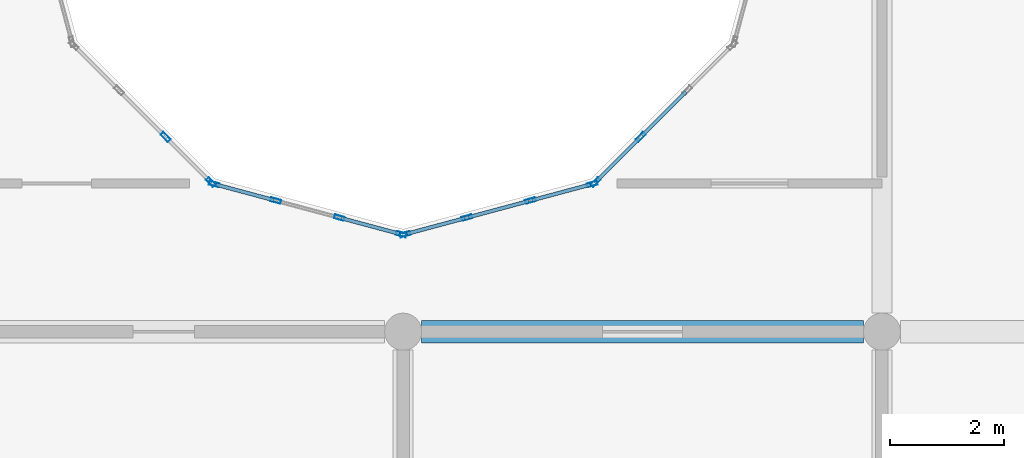
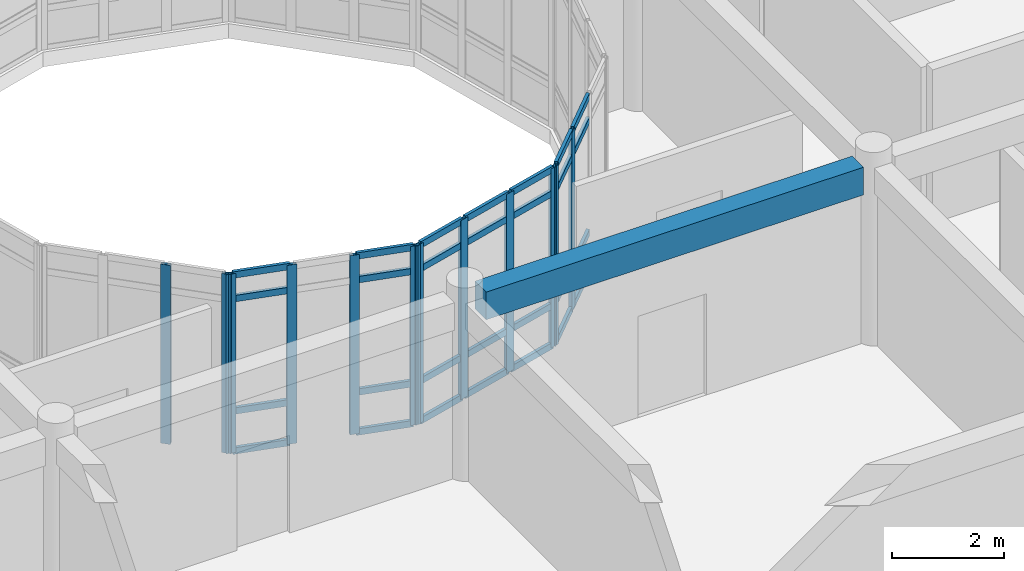
# One storey, part 18 of 119: 40 members, 1 beam, 4 elements without a shape of their own.
"""IFC4 building model written with IfcOpenShell, lengths in metres."""

from ifc_helpers import new_model, si_unit, direction, frame, origin, origin_2d, place, context, subcontext, project, spatial, rectangle, hollow_rectangle, extrude, material, layer, layer_set, material_profile, profile_set, type_object, element, aggregate, save


model = new_model("IFC4")

# Units and contexts
model_context = context("Model", 3, precision=1e-05, world=origin(), true_north=direction((0.0, 1.0)))
body_context = subcontext(model_context, "Body", "Model", "MODEL_VIEW")
ifc_project = project(units=[si_unit("LENGTHUNIT", "METRE"), si_unit("AREAUNIT", "SQUARE_METRE"), si_unit("VOLUMEUNIT", "CUBIC_METRE"), si_unit("PLANEANGLEUNIT", "RADIAN"), si_unit("MASSUNIT", "GRAM", prefix="KILO")], contexts=[model_context])

# Site, building, storey
site_placement = place(None, origin())
site = spatial("IfcSite", under=ifc_project, at=site_placement, CompositionType="ELEMENT")
building_placement = place(site_placement, origin())
building = spatial("IfcBuilding", under=site, at=building_placement, Name="Bramfleet General Hospital", CompositionType="ELEMENT")
storey_placement = place(building_placement, frame((0.0, 0.0, 14.39990234375)))
storey = spatial("IfcBuildingStorey", under=building, at=storey_placement, Name="L03", CompositionType="ELEMENT", Elevation=14.39990234375)

# Beam
ifc_material_1 = material(Name="Concrete C35/45", Category="concrete")
ifc_material_profile_1 = material_profile(ifc_material_1, rectangle(XDim=0.39990234375, YDim=0.60009765625, at=origin_2d()), Name="RC BM 600x400")
ifc_profile_set_1 = profile_set([ifc_material_profile_1], Name="Concrete C35/45")
beam_type = type_object("IfcBeamType", Name="BM-RC600", PredefinedType="BEAM", material=ifc_profile_set_1)
beam_placement = place(storey_placement, frame((25.52490234375, 75.60009765625, 3.590087890625), z_axis=(1.0, 0.0, 0.0), x_axis=(0.0, 1.0, 0.0)))
element("IfcBeam", 1, at=beam_placement, inside=storey, type_object=beam_type, Name="L03 Grid Beam X 03-09", PredefinedType="BEAM", context=body_context, shape_type="SweptSolid", body=[
    extrude(rectangle(XDim=0.39990234375, YDim=0.60009765625, at=origin_2d()), origin(), (0.0, 0.0, 1.0), 7.75),
])

# Curtain wall, members
ifc_material_2 = material(Name="Anodised aluminium and low-E triple glazing", Category="aluminium")
ifc_layer_1 = layer(ifc_material_2, 0.179931640625, Name="CWT-CW-18")
ifc_layer_set_1 = layer_set([ifc_layer_1], Name="Anodised aluminium and low-E triple glazing")
curtain_wall_type_1 = type_object("IfcCurtainWallType", Name="CWT-CW-18", PredefinedType="USERDEFINED", material=ifc_layer_set_1)
curtain_wall_1_placement = place(storey_placement, origin())
curtain_wall_1 = element("IfcCurtainWall", 2, at=curtain_wall_1_placement, inside=storey, type_object=curtain_wall_type_1, Name="L03 West Clinical Light Court Curtain Wall 2.1", ObjectType="Stick curtain wall", PredefinedType="USERDEFINED")
ifc_material_3 = material(Name="Anodised aluminium EN AW-6060", Category="aluminium")
ifc_material_profile_2 = material_profile(ifc_material_3, hollow_rectangle(XDim=0.070068359375, YDim=0.179931640625, WallThickness=0.00390625, at=origin_2d()), Name="ALU 180x70x4.0")
ifc_profile_set_2 = profile_set([ifc_material_profile_2], Name="Anodised aluminium EN AW-6060")
member_type_1 = type_object("IfcMemberType", Name="CWM-ALU180", PredefinedType="MULLION", material=ifc_profile_set_2)
member_1_placement = place(storey_placement, frame((21.03271484375, 79.015380859375, 0.0), z_axis=(0.0, 0.0, 1.0), x_axis=(0.707106781187, 0.707106781187, 0.0)))
member_1 = element("IfcMember", 3, at=member_1_placement, type_object=member_type_1, Name="CW-18 mullion 3", PredefinedType="MULLION", context=body_context, shape_type="SweptSolid", body=[
    extrude(hollow_rectangle(XDim=0.070068359375, YDim=0.179931640625, WallThickness=0.00390625, at=origin_2d()), origin(), (0.0, 0.0, 1.0), 3.89013671875),
])
member_2_placement = place(storey_placement, frame((21.8251953125, 78.22265625, 0.0), z_axis=(0.0, 0.0, 1.0), x_axis=(0.707106781187, 0.707106781187, 0.0)))
member_2 = element("IfcMember", 4, at=member_2_placement, type_object=member_type_1, Name="CW-18 mullion 4", PredefinedType="MULLION", context=body_context, shape_type="SweptSolid", body=[
    extrude(hollow_rectangle(XDim=0.070068359375, YDim=0.179931640625, WallThickness=0.00390625, at=origin_2d()), origin(), (0.0, 0.0, 1.0), 3.89013671875),
])
aggregate(curtain_wall_1, [member_1, member_2])

ifc_layer_2 = layer(ifc_material_2, 0.179931640625, Name="CWT-CW-11")
ifc_layer_set_2 = layer_set([ifc_layer_2], Name="Anodised aluminium and low-E triple glazing")
curtain_wall_type_2 = type_object("IfcCurtainWallType", Name="CWT-CW-11", PredefinedType="USERDEFINED", material=ifc_layer_set_2)
curtain_wall_2_placement = place(storey_placement, origin())
curtain_wall_2 = element("IfcCurtainWall", 5, at=curtain_wall_2_placement, inside=storey, type_object=curtain_wall_type_2, Name="L03 West Clinical Light Court Curtain Wall 3.1", ObjectType="Stick curtain wall", PredefinedType="USERDEFINED")
member_3_placement = place(storey_placement, frame((21.8837890625, 78.18896484375, 0.0), z_axis=(0.0, 0.0, 1.0), x_axis=(0.25891863407, 0.965899136003, 0.0)))
member_3 = element("IfcMember", 6, at=member_3_placement, type_object=member_type_1, Name="CW-11 mullion 1", PredefinedType="MULLION", context=body_context, shape_type="SweptSolid", body=[
    extrude(hollow_rectangle(XDim=0.070068359375, YDim=0.179931640625, WallThickness=0.00390625, at=origin_2d()), origin(), (0.0, 0.0, 1.0), 3.89013671875),
])
member_4_placement = place(storey_placement, frame((22.966552734375, 77.898681640625, 0.0), z_axis=(0.0, 0.0, 1.0), x_axis=(0.25891863407, 0.965899136003, 0.0)))
member_4 = element("IfcMember", 7, at=member_4_placement, type_object=member_type_1, Name="CW-11 mullion 2", PredefinedType="MULLION", context=body_context, shape_type="SweptSolid", body=[
    extrude(hollow_rectangle(XDim=0.070068359375, YDim=0.179931640625, WallThickness=0.00390625, at=origin_2d()), origin(), (0.0, 0.0, 1.0), 3.89013671875),
])
member_5_placement = place(storey_placement, frame((24.083251953125, 77.599365234375, 0.0), z_axis=(0.0, 0.0, 1.0), x_axis=(0.25891863407, 0.965899136003, 0.0)))
member_5 = element("IfcMember", 8, at=member_5_placement, type_object=member_type_1, Name="CW-11 mullion 3", PredefinedType="MULLION", context=body_context, shape_type="SweptSolid", body=[
    extrude(hollow_rectangle(XDim=0.070068359375, YDim=0.179931640625, WallThickness=0.00390625, at=origin_2d()), origin(), (0.0, 0.0, 1.0), 3.89013671875),
])
member_6_placement = place(storey_placement, frame((25.166259765625, 77.30908203125, 0.0), z_axis=(0.0, 0.0, 1.0), x_axis=(0.25891863407, 0.965899136003, 0.0)))
member_6 = element("IfcMember", 9, at=member_6_placement, type_object=member_type_1, Name="CW-11 mullion 4", PredefinedType="MULLION", context=body_context, shape_type="SweptSolid", body=[
    extrude(hollow_rectangle(XDim=0.070068359375, YDim=0.179931640625, WallThickness=0.00390625, at=origin_2d()), origin(), (0.0, 0.0, 1.0), 3.89013671875),
])

ifc_layer_3 = layer(ifc_material_2, 0.179931640625, Name="CWT-CW-12")
ifc_layer_set_3 = layer_set([ifc_layer_3], Name="Anodised aluminium and low-E triple glazing")
curtain_wall_type_3 = type_object("IfcCurtainWallType", Name="CWT-CW-12", PredefinedType="USERDEFINED", material=ifc_layer_set_3)
curtain_wall_3_placement = place(storey_placement, origin())
curtain_wall_3 = element("IfcCurtainWall", 10, at=curtain_wall_3_placement, inside=storey, type_object=curtain_wall_type_3, Name="L03 West Clinical Light Court Curtain Wall 4.1", ObjectType="Stick curtain wall", PredefinedType="USERDEFINED")
member_7_placement = place(storey_placement, frame((25.23388671875, 77.30908203125, 0.0), z_axis=(0.0, 0.0, 1.0), x_axis=(-0.25891863407, 0.965899136003, 0.0)))
member_7 = element("IfcMember", 11, at=member_7_placement, type_object=member_type_1, Name="CW-12 mullion 1", PredefinedType="MULLION", context=body_context, shape_type="SweptSolid", body=[
    extrude(hollow_rectangle(XDim=0.070068359375, YDim=0.179931640625, WallThickness=0.00390625, at=origin_2d()), origin(), (0.0, 0.0, 1.0), 3.89013671875),
])
member_8_placement = place(storey_placement, frame((26.316650390625, 77.599365234375, 0.0), z_axis=(0.0, 0.0, 1.0), x_axis=(-0.25891863407, 0.965899136003, 0.0)))
member_8 = element("IfcMember", 12, at=member_8_placement, type_object=member_type_1, Name="CW-12 mullion 2", PredefinedType="MULLION", context=body_context, shape_type="SweptSolid", body=[
    extrude(hollow_rectangle(XDim=0.070068359375, YDim=0.179931640625, WallThickness=0.00390625, at=origin_2d()), origin(), (0.0, 0.0, 1.0), 3.89013671875),
])
member_9_placement = place(storey_placement, frame((27.433349609375, 77.898681640625, 0.0), z_axis=(0.0, 0.0, 1.0), x_axis=(-0.25891863407, 0.965899136003, 0.0)))
member_9 = element("IfcMember", 13, at=member_9_placement, type_object=member_type_1, Name="CW-12 mullion 3", PredefinedType="MULLION", context=body_context, shape_type="SweptSolid", body=[
    extrude(hollow_rectangle(XDim=0.070068359375, YDim=0.179931640625, WallThickness=0.00390625, at=origin_2d()), origin(), (0.0, 0.0, 1.0), 3.89013671875),
])
member_10_placement = place(storey_placement, frame((28.51611328125, 78.18896484375, 0.0), z_axis=(0.0, 0.0, 1.0), x_axis=(-0.25891863407, 0.965899136003, 0.0)))
member_10 = element("IfcMember", 14, at=member_10_placement, type_object=member_type_1, Name="CW-12 mullion 4", PredefinedType="MULLION", context=body_context, shape_type="SweptSolid", body=[
    extrude(hollow_rectangle(XDim=0.070068359375, YDim=0.179931640625, WallThickness=0.00390625, at=origin_2d()), origin(), (0.0, 0.0, 1.0), 3.89013671875),
])

ifc_layer_4 = layer(ifc_material_2, 0.179931640625, Name="CWT-CW-13")
ifc_layer_set_4 = layer_set([ifc_layer_4], Name="Anodised aluminium and low-E triple glazing")
curtain_wall_type_4 = type_object("IfcCurtainWallType", Name="CWT-CW-13", PredefinedType="USERDEFINED", material=ifc_layer_set_4)
curtain_wall_4_placement = place(storey_placement, origin())
curtain_wall_4 = element("IfcCurtainWall", 15, at=curtain_wall_4_placement, inside=storey, type_object=curtain_wall_type_4, Name="L03 West Clinical Light Court Curtain Wall 5.1", ObjectType="Stick curtain wall", PredefinedType="USERDEFINED")
member_11_placement = place(storey_placement, frame((28.57470703125, 78.22265625, 0.0), z_axis=(0.0, 0.0, 1.0), x_axis=(-0.707106781187, 0.707106781187, 0.0)))
member_11 = element("IfcMember", 16, at=member_11_placement, type_object=member_type_1, Name="CW-13 mullion 1", PredefinedType="MULLION", context=body_context, shape_type="SweptSolid", body=[
    extrude(hollow_rectangle(XDim=0.070068359375, YDim=0.179931640625, WallThickness=0.00390625, at=origin_2d()), origin(), (0.0, 0.0, 1.0), 3.89013671875),
])
member_12_placement = place(storey_placement, frame((29.367431640625, 79.015380859375, 0.0), z_axis=(0.0, 0.0, 1.0), x_axis=(-0.707106781187, 0.707106781187, 0.0)))
member_12 = element("IfcMember", 17, at=member_12_placement, type_object=member_type_1, Name="CW-13 mullion 2", PredefinedType="MULLION", context=body_context, shape_type="SweptSolid", body=[
    extrude(hollow_rectangle(XDim=0.070068359375, YDim=0.179931640625, WallThickness=0.00390625, at=origin_2d()), origin(), (0.0, 0.0, 1.0), 3.89013671875),
])

# Member
ifc_material_profile_3 = material_profile(ifc_material_3, hollow_rectangle(XDim=0.06494140625, YDim=0.139892578125, WallThickness=0.00390625, at=origin_2d()), Name="ALU 140x65x4.0")
ifc_profile_set_3 = profile_set([ifc_material_profile_3], Name="Anodised aluminium EN AW-6060")
member_type_2 = type_object("IfcMemberType", Name="CWT-ALU140", PredefinedType="USERDEFINED", material=ifc_profile_set_3)
member_13_placement = place(storey_placement, frame((21.917724609375, 78.179931640625, 0.03271484375), z_axis=(0.965875443458, -0.259007003236, 0.0), x_axis=(0.259007003236, 0.965875443458, 0.0)))
member_13 = element("IfcMember", 18, at=member_13_placement, type_object=member_type_2, Name="CW-11 transom 1.1", ObjectType="TRANSOM", PredefinedType="USERDEFINED", context=body_context, shape_type="SweptSolid", body=[
    extrude(hollow_rectangle(XDim=0.06494140625, YDim=0.139892578125, WallThickness=0.00390625, at=origin_2d()), origin(), (0.0, 0.0, 1.0), 1.051025390625),
])

member_14_placement = place(storey_placement, frame((21.917724609375, 78.179931640625, 0.900146484375), z_axis=(0.965875443458, -0.259007003236, 0.0), x_axis=(0.259007003236, 0.965875443458, 0.0)))
member_14 = element("IfcMember", 19, at=member_14_placement, type_object=member_type_2, Name="CW-11 transom 1.2", ObjectType="TRANSOM", PredefinedType="USERDEFINED", context=body_context, shape_type="SweptSolid", body=[
    extrude(hollow_rectangle(XDim=0.06494140625, YDim=0.139892578125, WallThickness=0.00390625, at=origin_2d()), origin(), (0.0, 0.0, 1.0), 1.051025390625),
])

member_15_placement = place(storey_placement, frame((21.917724609375, 78.179931640625, 3.340087890625), z_axis=(0.965875443458, -0.259007003236, 0.0), x_axis=(0.259007003236, 0.965875443458, 0.0)))
member_15 = element("IfcMember", 20, at=member_15_placement, type_object=member_type_2, Name="CW-11 transom 1.3", ObjectType="TRANSOM", PredefinedType="USERDEFINED", context=body_context, shape_type="SweptSolid", body=[
    extrude(hollow_rectangle(XDim=0.06494140625, YDim=0.139892578125, WallThickness=0.00390625, at=origin_2d()), origin(), (0.0, 0.0, 1.0), 1.051025390625),
])

member_16_placement = place(storey_placement, frame((21.917724609375, 78.179931640625, 3.857666015625), z_axis=(0.965875443458, -0.259007003236, 0.0), x_axis=(0.259007003236, 0.965875443458, 0.0)))
member_16 = element("IfcMember", 21, at=member_16_placement, type_object=member_type_2, Name="CW-11 transom 1.4", ObjectType="TRANSOM", PredefinedType="USERDEFINED", context=body_context, shape_type="SweptSolid", body=[
    extrude(hollow_rectangle(XDim=0.06494140625, YDim=0.139892578125, WallThickness=0.00390625, at=origin_2d()), origin(), (0.0, 0.0, 1.0), 1.051025390625),
])

member_17_placement = place(storey_placement, frame((24.1171875, 77.59033203125, 0.03271484375), z_axis=(0.965875443458, -0.259007003236, 0.0), x_axis=(0.259007003236, 0.965875443458, 0.0)))
member_17 = element("IfcMember", 22, at=member_17_placement, type_object=member_type_2, Name="CW-11 transom 3.1", ObjectType="TRANSOM", PredefinedType="USERDEFINED", context=body_context, shape_type="SweptSolid", body=[
    extrude(hollow_rectangle(XDim=0.06494140625, YDim=0.139892578125, WallThickness=0.00390625, at=origin_2d()), origin(), (0.0, 0.0, 1.0), 1.051025390625),
])

member_18_placement = place(storey_placement, frame((24.1171875, 77.59033203125, 0.900146484375), z_axis=(0.965875443458, -0.259007003236, 0.0), x_axis=(0.259007003236, 0.965875443458, 0.0)))
member_18 = element("IfcMember", 23, at=member_18_placement, type_object=member_type_2, Name="CW-11 transom 3.2", ObjectType="TRANSOM", PredefinedType="USERDEFINED", context=body_context, shape_type="SweptSolid", body=[
    extrude(hollow_rectangle(XDim=0.06494140625, YDim=0.139892578125, WallThickness=0.00390625, at=origin_2d()), origin(), (0.0, 0.0, 1.0), 1.051025390625),
])

member_19_placement = place(storey_placement, frame((24.1171875, 77.59033203125, 3.340087890625), z_axis=(0.965875443458, -0.259007003236, 0.0), x_axis=(0.259007003236, 0.965875443458, 0.0)))
member_19 = element("IfcMember", 24, at=member_19_placement, type_object=member_type_2, Name="CW-11 transom 3.3", ObjectType="TRANSOM", PredefinedType="USERDEFINED", context=body_context, shape_type="SweptSolid", body=[
    extrude(hollow_rectangle(XDim=0.06494140625, YDim=0.139892578125, WallThickness=0.00390625, at=origin_2d()), origin(), (0.0, 0.0, 1.0), 1.051025390625),
])

member_20_placement = place(storey_placement, frame((24.1171875, 77.59033203125, 3.857666015625), z_axis=(0.965875443458, -0.259007003236, 0.0), x_axis=(0.259007003236, 0.965875443458, 0.0)))
member_20 = element("IfcMember", 25, at=member_20_placement, type_object=member_type_2, Name="CW-11 transom 3.4", ObjectType="TRANSOM", PredefinedType="USERDEFINED", context=body_context, shape_type="SweptSolid", body=[
    extrude(hollow_rectangle(XDim=0.06494140625, YDim=0.139892578125, WallThickness=0.00390625, at=origin_2d()), origin(), (0.0, 0.0, 1.0), 1.051025390625),
])

aggregate(curtain_wall_2, [member_3, member_4, member_5, member_6, member_13, member_14, member_15, member_16, member_17, member_18, member_19, member_20])

member_21_placement = place(storey_placement, frame((25.267578125, 77.318115234375, 0.03271484375), z_axis=(0.965891021523, 0.258948903342, 0.0), x_axis=(-0.258948903342, 0.965891021523, 0.0)))
member_21 = element("IfcMember", 26, at=member_21_placement, type_object=member_type_2, Name="CW-12 transom 1.1", ObjectType="TRANSOM", PredefinedType="USERDEFINED", context=body_context, shape_type="SweptSolid", body=[
    extrude(hollow_rectangle(XDim=0.06494140625, YDim=0.139892578125, WallThickness=0.00390625, at=origin_2d()), origin(), (0.0, 0.0, 1.0), 1.05126953125),
])

member_22_placement = place(storey_placement, frame((25.267578125, 77.318115234375, 0.900146484375), z_axis=(0.965891021523, 0.258948903342, 0.0), x_axis=(-0.258948903342, 0.965891021523, 0.0)))
member_22 = element("IfcMember", 27, at=member_22_placement, type_object=member_type_2, Name="CW-12 transom 1.2", ObjectType="TRANSOM", PredefinedType="USERDEFINED", context=body_context, shape_type="SweptSolid", body=[
    extrude(hollow_rectangle(XDim=0.06494140625, YDim=0.139892578125, WallThickness=0.00390625, at=origin_2d()), origin(), (0.0, 0.0, 1.0), 1.05126953125),
])

member_23_placement = place(storey_placement, frame((25.267578125, 77.318115234375, 3.340087890625), z_axis=(0.965891021523, 0.258948903342, 0.0), x_axis=(-0.258948903342, 0.965891021523, 0.0)))
member_23 = element("IfcMember", 28, at=member_23_placement, type_object=member_type_2, Name="CW-12 transom 1.3", ObjectType="TRANSOM", PredefinedType="USERDEFINED", context=body_context, shape_type="SweptSolid", body=[
    extrude(hollow_rectangle(XDim=0.06494140625, YDim=0.139892578125, WallThickness=0.00390625, at=origin_2d()), origin(), (0.0, 0.0, 1.0), 1.05126953125),
])

member_24_placement = place(storey_placement, frame((25.267578125, 77.318115234375, 3.857666015625), z_axis=(0.965891021523, 0.258948903342, 0.0), x_axis=(-0.258948903342, 0.965891021523, 0.0)))
member_24 = element("IfcMember", 29, at=member_24_placement, type_object=member_type_2, Name="CW-12 transom 1.4", ObjectType="TRANSOM", PredefinedType="USERDEFINED", context=body_context, shape_type="SweptSolid", body=[
    extrude(hollow_rectangle(XDim=0.06494140625, YDim=0.139892578125, WallThickness=0.00390625, at=origin_2d()), origin(), (0.0, 0.0, 1.0), 1.05126953125),
])

member_25_placement = place(storey_placement, frame((26.3505859375, 77.6083984375, 0.03271484375), z_axis=(0.965875768108, 0.259005792565, 0.0), x_axis=(-0.259005792565, 0.965875768108, 0.0)))
member_25 = element("IfcMember", 30, at=member_25_placement, type_object=member_type_2, Name="CW-12 transom 2.1", ObjectType="TRANSOM", PredefinedType="USERDEFINED", context=body_context, shape_type="SweptSolid", body=[
    extrude(hollow_rectangle(XDim=0.06494140625, YDim=0.139892578125, WallThickness=0.00390625, at=origin_2d()), origin(), (0.0, 0.0, 1.0), 1.0859375),
])

member_26_placement = place(storey_placement, frame((26.3505859375, 77.6083984375, 0.900146484375), z_axis=(0.965875768108, 0.259005792565, 0.0), x_axis=(-0.259005792565, 0.965875768108, 0.0)))
member_26 = element("IfcMember", 31, at=member_26_placement, type_object=member_type_2, Name="CW-12 transom 2.2", ObjectType="TRANSOM", PredefinedType="USERDEFINED", context=body_context, shape_type="SweptSolid", body=[
    extrude(hollow_rectangle(XDim=0.06494140625, YDim=0.139892578125, WallThickness=0.00390625, at=origin_2d()), origin(), (0.0, 0.0, 1.0), 1.0859375),
])

member_27_placement = place(storey_placement, frame((26.3505859375, 77.6083984375, 3.340087890625), z_axis=(0.965875768108, 0.259005792565, 0.0), x_axis=(-0.259005792565, 0.965875768108, 0.0)))
member_27 = element("IfcMember", 32, at=member_27_placement, type_object=member_type_2, Name="CW-12 transom 2.3", ObjectType="TRANSOM", PredefinedType="USERDEFINED", context=body_context, shape_type="SweptSolid", body=[
    extrude(hollow_rectangle(XDim=0.06494140625, YDim=0.139892578125, WallThickness=0.00390625, at=origin_2d()), origin(), (0.0, 0.0, 1.0), 1.0859375),
])

member_28_placement = place(storey_placement, frame((26.3505859375, 77.6083984375, 3.857666015625), z_axis=(0.965875768108, 0.259005792565, 0.0), x_axis=(-0.259005792565, 0.965875768108, 0.0)))
member_28 = element("IfcMember", 33, at=member_28_placement, type_object=member_type_2, Name="CW-12 transom 2.4", ObjectType="TRANSOM", PredefinedType="USERDEFINED", context=body_context, shape_type="SweptSolid", body=[
    extrude(hollow_rectangle(XDim=0.06494140625, YDim=0.139892578125, WallThickness=0.00390625, at=origin_2d()), origin(), (0.0, 0.0, 1.0), 1.0859375),
])

member_29_placement = place(storey_placement, frame((27.467041015625, 77.90771484375, 0.03271484375), z_axis=(0.965891021523, 0.258948903342, 0.0), x_axis=(-0.258948903342, 0.965891021523, 0.0)))
member_29 = element("IfcMember", 34, at=member_29_placement, type_object=member_type_2, Name="CW-12 transom 3.1", ObjectType="TRANSOM", PredefinedType="USERDEFINED", context=body_context, shape_type="SweptSolid", body=[
    extrude(hollow_rectangle(XDim=0.06494140625, YDim=0.139892578125, WallThickness=0.00390625, at=origin_2d()), origin(), (0.0, 0.0, 1.0), 1.05126953125),
])

member_30_placement = place(storey_placement, frame((27.467041015625, 77.90771484375, 0.900146484375), z_axis=(0.965891021523, 0.258948903342, 0.0), x_axis=(-0.258948903342, 0.965891021523, 0.0)))
member_30 = element("IfcMember", 35, at=member_30_placement, type_object=member_type_2, Name="CW-12 transom 3.2", ObjectType="TRANSOM", PredefinedType="USERDEFINED", context=body_context, shape_type="SweptSolid", body=[
    extrude(hollow_rectangle(XDim=0.06494140625, YDim=0.139892578125, WallThickness=0.00390625, at=origin_2d()), origin(), (0.0, 0.0, 1.0), 1.05126953125),
])

member_31_placement = place(storey_placement, frame((27.467041015625, 77.90771484375, 3.340087890625), z_axis=(0.965891021523, 0.258948903342, 0.0), x_axis=(-0.258948903342, 0.965891021523, 0.0)))
member_31 = element("IfcMember", 36, at=member_31_placement, type_object=member_type_2, Name="CW-12 transom 3.3", ObjectType="TRANSOM", PredefinedType="USERDEFINED", context=body_context, shape_type="SweptSolid", body=[
    extrude(hollow_rectangle(XDim=0.06494140625, YDim=0.139892578125, WallThickness=0.00390625, at=origin_2d()), origin(), (0.0, 0.0, 1.0), 1.05126953125),
])

member_32_placement = place(storey_placement, frame((27.467041015625, 77.90771484375, 3.857666015625), z_axis=(0.965891021523, 0.258948903342, 0.0), x_axis=(-0.258948903342, 0.965891021523, 0.0)))
member_32 = element("IfcMember", 37, at=member_32_placement, type_object=member_type_2, Name="CW-12 transom 3.4", ObjectType="TRANSOM", PredefinedType="USERDEFINED", context=body_context, shape_type="SweptSolid", body=[
    extrude(hollow_rectangle(XDim=0.06494140625, YDim=0.139892578125, WallThickness=0.00390625, at=origin_2d()), origin(), (0.0, 0.0, 1.0), 1.05126953125),
])

aggregate(curtain_wall_3, [member_7, member_8, member_9, member_10, member_21, member_22, member_23, member_24, member_25, member_26, member_27, member_28, member_29, member_30, member_31, member_32])

member_33_placement = place(storey_placement, frame((28.599609375, 78.24755859375, 0.03271484375), z_axis=(0.707106781187, 0.707106781187, 0.0), x_axis=(-0.707106781187, 0.707106781187, 0.0)))
member_33 = element("IfcMember", 38, at=member_33_placement, type_object=member_type_2, Name="CW-13 transom 1.1", ObjectType="TRANSOM", PredefinedType="USERDEFINED", context=body_context, shape_type="SweptSolid", body=[
    extrude(hollow_rectangle(XDim=0.06494140625, YDim=0.139892578125, WallThickness=0.00390625, at=origin_2d()), origin(), (0.0, 0.0, 1.0), 1.050537109375),
])

member_34_placement = place(storey_placement, frame((28.599609375, 78.24755859375, 0.900146484375), z_axis=(0.707106781187, 0.707106781187, 0.0), x_axis=(-0.707106781187, 0.707106781187, 0.0)))
member_34 = element("IfcMember", 39, at=member_34_placement, type_object=member_type_2, Name="CW-13 transom 1.2", ObjectType="TRANSOM", PredefinedType="USERDEFINED", context=body_context, shape_type="SweptSolid", body=[
    extrude(hollow_rectangle(XDim=0.06494140625, YDim=0.139892578125, WallThickness=0.00390625, at=origin_2d()), origin(), (0.0, 0.0, 1.0), 1.050537109375),
])

member_35_placement = place(storey_placement, frame((28.599609375, 78.24755859375, 3.340087890625), z_axis=(0.707106781187, 0.707106781187, 0.0), x_axis=(-0.707106781187, 0.707106781187, 0.0)))
member_35 = element("IfcMember", 40, at=member_35_placement, type_object=member_type_2, Name="CW-13 transom 1.3", ObjectType="TRANSOM", PredefinedType="USERDEFINED", context=body_context, shape_type="SweptSolid", body=[
    extrude(hollow_rectangle(XDim=0.06494140625, YDim=0.139892578125, WallThickness=0.00390625, at=origin_2d()), origin(), (0.0, 0.0, 1.0), 1.050537109375),
])

member_36_placement = place(storey_placement, frame((28.599609375, 78.24755859375, 3.857666015625), z_axis=(0.707106781187, 0.707106781187, 0.0), x_axis=(-0.707106781187, 0.707106781187, 0.0)))
member_36 = element("IfcMember", 41, at=member_36_placement, type_object=member_type_2, Name="CW-13 transom 1.4", ObjectType="TRANSOM", PredefinedType="USERDEFINED", context=body_context, shape_type="SweptSolid", body=[
    extrude(hollow_rectangle(XDim=0.06494140625, YDim=0.139892578125, WallThickness=0.00390625, at=origin_2d()), origin(), (0.0, 0.0, 1.0), 1.050537109375),
])

member_37_placement = place(storey_placement, frame((29.39208984375, 79.0400390625, 0.03271484375), z_axis=(0.707106781187, 0.707106781187, 0.0), x_axis=(-0.707106781187, 0.707106781187, 0.0)))
member_37 = element("IfcMember", 42, at=member_37_placement, type_object=member_type_2, Name="CW-13 transom 2.1", ObjectType="TRANSOM", PredefinedType="USERDEFINED", context=body_context, shape_type="SweptSolid", body=[
    extrude(hollow_rectangle(XDim=0.06494140625, YDim=0.139892578125, WallThickness=0.00390625, at=origin_2d()), origin(), (0.0, 0.0, 1.0), 1.0859375),
])

member_38_placement = place(storey_placement, frame((29.39208984375, 79.0400390625, 0.900146484375), z_axis=(0.707106781187, 0.707106781187, 0.0), x_axis=(-0.707106781187, 0.707106781187, 0.0)))
member_38 = element("IfcMember", 43, at=member_38_placement, type_object=member_type_2, Name="CW-13 transom 2.2", ObjectType="TRANSOM", PredefinedType="USERDEFINED", context=body_context, shape_type="SweptSolid", body=[
    extrude(hollow_rectangle(XDim=0.06494140625, YDim=0.139892578125, WallThickness=0.00390625, at=origin_2d()), origin(), (0.0, 0.0, 1.0), 1.0859375),
])

member_39_placement = place(storey_placement, frame((29.39208984375, 79.0400390625, 3.340087890625), z_axis=(0.707106781187, 0.707106781187, 0.0), x_axis=(-0.707106781187, 0.707106781187, 0.0)))
member_39 = element("IfcMember", 44, at=member_39_placement, type_object=member_type_2, Name="CW-13 transom 2.3", ObjectType="TRANSOM", PredefinedType="USERDEFINED", context=body_context, shape_type="SweptSolid", body=[
    extrude(hollow_rectangle(XDim=0.06494140625, YDim=0.139892578125, WallThickness=0.00390625, at=origin_2d()), origin(), (0.0, 0.0, 1.0), 1.0859375),
])

member_40_placement = place(storey_placement, frame((29.39208984375, 79.0400390625, 3.857666015625), z_axis=(0.707106781187, 0.707106781187, 0.0), x_axis=(-0.707106781187, 0.707106781187, 0.0)))
member_40 = element("IfcMember", 45, at=member_40_placement, type_object=member_type_2, Name="CW-13 transom 2.4", ObjectType="TRANSOM", PredefinedType="USERDEFINED", context=body_context, shape_type="SweptSolid", body=[
    extrude(hollow_rectangle(XDim=0.06494140625, YDim=0.139892578125, WallThickness=0.00390625, at=origin_2d()), origin(), (0.0, 0.0, 1.0), 1.0859375),
])

aggregate(curtain_wall_4, [member_11, member_12, member_33, member_34, member_35, member_36, member_37, member_38, member_39, member_40])

save(model, "model.ifc")
